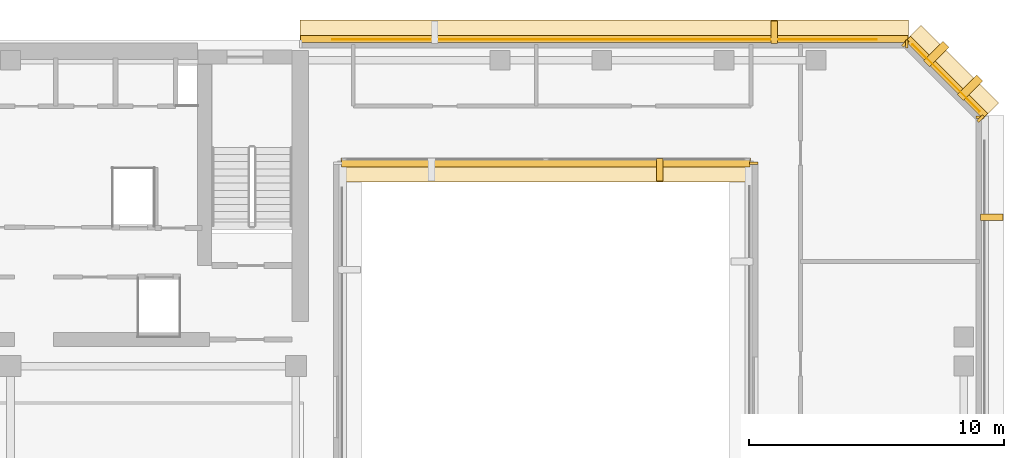
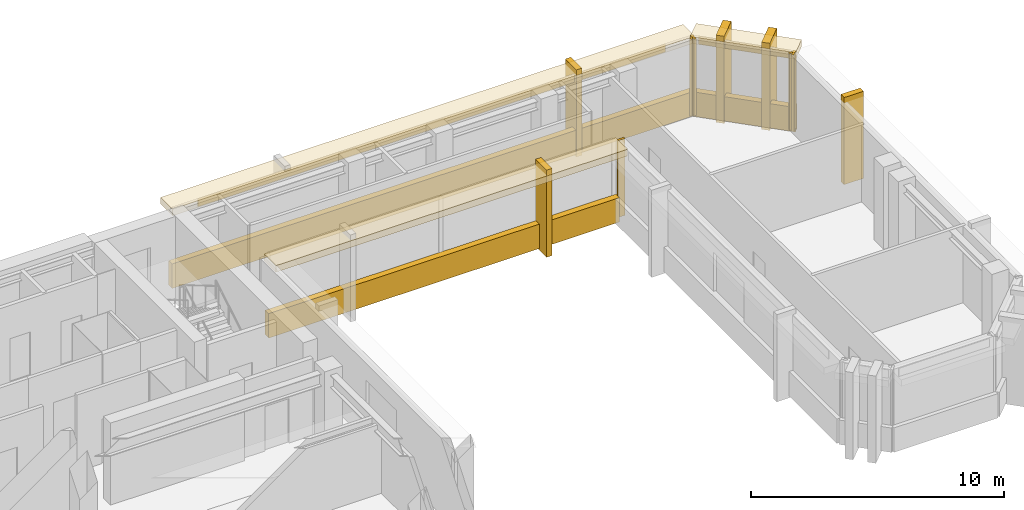
# One storey, part 11 of 11: 18 coverings.
"""IFC4 building model written with IfcOpenShell, lengths in metres."""

from ifc_helpers import new_model, si_unit, direction, frame, origin, origin_2d, place, context, subcontext, project, spatial, rectangle, extrude, material, layer, layer_set, type_object, element, save


model = new_model("IFC4")

# Units and contexts
model_context = context("Model", 3, precision=1e-05, world=origin(), true_north=direction((0.0, 1.0)))
body_context = subcontext(model_context, "Body", "Model", "MODEL_VIEW")
ifc_project = project(units=[si_unit("LENGTHUNIT", "METRE"), si_unit("AREAUNIT", "SQUARE_METRE"), si_unit("VOLUMEUNIT", "CUBIC_METRE"), si_unit("PLANEANGLEUNIT", "RADIAN"), si_unit("MASSUNIT", "GRAM", prefix="KILO")], contexts=[model_context])

# Site, building, storey
site_placement = place(None, origin())
site = spatial("IfcSite", under=ifc_project, at=site_placement, CompositionType="ELEMENT")
building_placement = place(site_placement, origin())
building = spatial("IfcBuilding", under=site, at=building_placement, Name="Kefirva Bronze Tower", CompositionType="ELEMENT")
storey_placement = place(building_placement, frame((0.0, 0.0, 243.5400390625)))
storey = spatial("IfcBuildingStorey", under=building, at=storey_placement, Name="L59", CompositionType="ELEMENT", Elevation=243.5400390625)

# Coverings
ifc_material = material(Name="Bronze anodised aluminium", Category="aluminium")
ifc_layer_1 = layer(ifc_material, 0.02001953125, Name="Bronze anodised aluminium")
ifc_layer_set_1 = layer_set([ifc_layer_1], Name="Bronze anodised aluminium")
covering_type_1 = type_object("IfcCoveringType", Name="Anodised Bronze Spandrel Cladding 20mm", PredefinedType="CLADDING", material=ifc_layer_set_1)
covering_1_placement = place(storey_placement, frame((33.0, 41.159912109375, -0.16015625), z_axis=(0.0, 0.0, 1.0), x_axis=(1.0, 0.0, 0.0)))
element("IfcCovering", 1, at=covering_1_placement, inside=storey, type_object=covering_type_1, Name="L59 Streamline Horizontal Spandrel Band 6", PredefinedType="CLADDING", context=body_context, shape_type="SweptSolid", body=[
    extrude(rectangle(XDim=16.0400390625, YDim=0.280029296875, at=origin_2d()), origin(), (0.0, 0.0, 1.0), 1.179931640625),
])
for number, where, z_axis, x_axis, name in (
    (2, (41.159912109375, 41.1650390625, 0.0), (0.0, 0.0, 1.0), (0.0, -1.0, 0.0), "L59 Facade Joint Closure Panel 5S"),
    (3, (50.0400390625, 42.965087890625, 0.0), (0.0, 0.0, 1.0), (0.0, 1.0, 0.0), "L59 Facade Joint Closure Panel 9E"),
):
    element("IfcCovering", number, at=place(storey_placement, frame(where, z_axis=z_axis, x_axis=x_axis)), inside=storey, type_object=covering_type_1, Name=name, PredefinedType="CLADDING", context=body_context, shape_type="SweptSolid", body=[
        extrude(rectangle(XDim=0.10009765625, YDim=0.320068359375, at=origin_2d()), origin(), (0.0, 0.0, 1.0), 3.7099609375),
    ])
covering_2_placement = place(storey_placement, frame((48.70703125, 44.507080078125, 3.2900390625), z_axis=(0.0, 0.0, 1.0), x_axis=(-0.707106781187, 0.707106781187, 0.0)))
element("IfcCovering", 4, at=covering_2_placement, inside=storey, type_object=covering_type_1, Name="L59 Bronze Spandrel Cladding 10", PredefinedType="CLADDING", context=body_context, shape_type="SweptSolid", body=[
    extrude(rectangle(XDim=3.719482421875, YDim=0.02001953125, at=origin_2d()), origin(), (0.0, 0.0, 1.0), 0.39990234375),
])
for number, where, z_axis, x_axis, name in (
    (5, (50.06201171875, 42.91162109375, 0.0), (0.0, 0.0, 1.0), (-0.707106781187, 0.707106781187, 0.0), "L59 Facade Joint Closure Panel 10S"),
    (6, (47.11181640625, 45.862060546875, 0.0), (0.0, 0.0, 1.0), (-0.707106781187, 0.707106781187, 0.0), "L59 Facade Joint Closure Panel 10E"),
):
    element("IfcCovering", number, at=place(storey_placement, frame(where, z_axis=z_axis, x_axis=x_axis)), inside=storey, type_object=covering_type_1, Name=name, PredefinedType="CLADDING", context=body_context, shape_type="SweptSolid", body=[
        extrude(rectangle(XDim=0.10009765625, YDim=0.320068359375, at=origin_2d()), origin(), (0.0, 0.0, 1.0), 3.7099609375),
    ])
covering_3_placement = place(storey_placement, frame((48.728271484375, 44.5283203125, -0.16015625), z_axis=(0.0, 0.0, 1.0), x_axis=(-0.707106781187, 0.707106781187, 0.0)))
element("IfcCovering", 7, at=covering_3_placement, inside=storey, type_object=covering_type_1, Name="L59 Streamline Horizontal Spandrel Band 12", PredefinedType="CLADDING", context=body_context, shape_type="SweptSolid", body=[
    extrude(rectangle(XDim=4.28271484375, YDim=0.280029296875, at=origin_2d()), origin(), (0.0, 0.0, 1.0), 1.179931640625),
])
covering_4_placement = place(storey_placement, frame((35.302490234375, 46.010009765625, 3.2900390625), z_axis=(0.0, 0.0, 1.0), x_axis=(-1.0, 0.0, 0.0)))
element("IfcCovering", 8, at=covering_4_placement, inside=storey, type_object=covering_type_1, Name="L59 Bronze Spandrel Cladding 11", PredefinedType="CLADDING", context=body_context, shape_type="SweptSolid", body=[
    extrude(rectangle(XDim=21.365966796875, YDim=0.02001953125, at=origin_2d()), origin(), (0.0, 0.0, 1.0), 0.39990234375),
])
covering_5_placement = place(storey_placement, frame((47.1650390625, 45.840087890625, 0.0), z_axis=(0.0, 0.0, 1.0), x_axis=(-1.0, 0.0, 0.0)))
element("IfcCovering", 9, at=covering_5_placement, inside=storey, type_object=covering_type_1, Name="L59 Facade Joint Closure Panel 11S", PredefinedType="CLADDING", context=body_context, shape_type="SweptSolid", body=[
    extrude(rectangle(XDim=0.10009765625, YDim=0.320068359375, at=origin_2d()), origin(), (0.0, 0.0, 1.0), 3.7099609375),
])
covering_6_placement = place(storey_placement, frame((35.302490234375, 46.0400390625, -0.16015625), z_axis=(0.0, 0.0, 1.0), x_axis=(-1.0, 0.0, 0.0)))
element("IfcCovering", 10, at=covering_6_placement, inside=storey, type_object=covering_type_1, Name="L59 Streamline Horizontal Spandrel Band 13", PredefinedType="CLADDING", context=body_context, shape_type="SweptSolid", body=[
    extrude(rectangle(XDim=23.8349609375, YDim=0.280029296875, at=origin_2d()), origin(), (0.0, 0.0, 1.0), 1.179931640625),
])
ifc_layer_2 = layer(ifc_material, 0.179931640625, Name="Bronze anodised aluminium")
ifc_layer_set_2 = layer_set([ifc_layer_2], Name="Bronze anodised aluminium")
covering_type_2 = type_object("IfcCoveringType", Name="Streamline Bronze Sunshade Eyebrow Cladding 180mm", PredefinedType="CLADDING", material=ifc_layer_set_2)
covering_7_placement = place(storey_placement, frame((33.0, 40.889892578125, 3.39013671875), z_axis=(0.0, 0.0, 1.0), x_axis=(1.0, 0.0, 0.0)))
element("IfcCovering", 11, at=covering_7_placement, inside=storey, type_object=covering_type_2, Name="L59 Streamline Bronze Sunshade Eyebrow 6", PredefinedType="CLADDING", context=body_context, shape_type="SweptSolid", body=[
    extrude(rectangle(XDim=16.080078125, YDim=0.93994140625, at=origin_2d()), origin(), (0.0, 0.0, 1.0), 0.320068359375),
])
covering_8_placement = place(storey_placement, frame((48.919189453125, 44.71923828125, 3.39013671875), z_axis=(0.0, 0.0, 1.0), x_axis=(-0.707106781187, 0.707106781187, 0.0)))
element("IfcCovering", 12, at=covering_8_placement, inside=storey, type_object=covering_type_2, Name="L59 Streamline Bronze Sunshade Eyebrow 12", PredefinedType="CLADDING", context=body_context, shape_type="SweptSolid", body=[
    extrude(rectangle(XDim=4.322509765625, YDim=0.93994140625, at=origin_2d()), origin(), (0.0, 0.0, 1.0), 0.320068359375),
])
covering_9_placement = place(storey_placement, frame((35.302490234375, 46.31005859375, 3.39013671875), z_axis=(0.0, 0.0, 1.0), x_axis=(-1.0, 0.0, 0.0)))
element("IfcCovering", 13, at=covering_9_placement, inside=storey, type_object=covering_type_2, Name="L59 Streamline Bronze Sunshade Eyebrow 13", PredefinedType="CLADDING", context=body_context, shape_type="SweptSolid", body=[
    extrude(rectangle(XDim=23.875, YDim=0.93994140625, at=origin_2d()), origin(), (0.0, 0.0, 1.0), 0.320068359375),
])
ifc_layer_3 = layer(ifc_material, 0.260009765625, Name="Bronze anodised aluminium")
ifc_layer_set_3 = layer_set([ifc_layer_3], Name="Bronze anodised aluminium")
covering_type_3 = type_object("IfcCoveringType", Name="Unbroken Bronze Buttress Fin Cladding 260mm", PredefinedType="CLADDING", material=ifc_layer_set_3)
for number, where, z_axis, x_axis, name in (
    (14, (37.47998046875, 40.89990234375, -0.25), (0.0, 0.0, 1.0), (1.0, 0.0, 0.0), "L59 Unbroken Vertical Bronze Rib Fin 12"),
    (15, (50.5, 39.0400390625, -0.25), (0.0, 0.0, 1.0), (0.0, 1.0, 0.0), "L59 Unbroken Vertical Bronze Rib Fin 20"),
):
    element("IfcCovering", number, at=place(storey_placement, frame(where, z_axis=z_axis, x_axis=x_axis)), inside=storey, type_object=covering_type_3, Name=name, PredefinedType="CLADDING", context=body_context, shape_type="SweptSolid", body=[
        extrude(rectangle(XDim=0.260009765625, YDim=0.8798828125, at=origin_2d()), origin(), (0.0, 0.0, 1.0), 4.2099609375),
    ])
for number, where, z_axis, x_axis, name in (
    (16, (49.642822265625, 44.122802734375, -0.25), (0.0, 0.0, 1.0), (-0.707106781187, 0.707106781187, 0.0), "L59 Chamfered Corner Buttress Fin Cladding 21"),
    (17, (48.32275390625, 45.44287109375, -0.25), (0.0, 0.0, 1.0), (-0.707106781187, 0.707106781187, 0.0), "L59 Chamfered Corner Buttress Fin Cladding 22"),
):
    element("IfcCovering", number, at=place(storey_placement, frame(where, z_axis=z_axis, x_axis=x_axis)), inside=storey, type_object=covering_type_3, Name=name, PredefinedType="CLADDING", context=body_context, shape_type="SweptSolid", body=[
        extrude(rectangle(XDim=0.340087890625, YDim=1.080078125, at=origin_2d()), origin(), (0.0, 0.0, 1.0), 4.2099609375),
    ])
covering_10_placement = place(storey_placement, frame((41.965087890625, 46.300048828125, -0.25), z_axis=(0.0, 0.0, 1.0), x_axis=(-1.0, 0.0, 0.0)))
element("IfcCovering", 18, at=covering_10_placement, inside=storey, type_object=covering_type_3, Name="L59 Unbroken Vertical Bronze Rib Fin 23", PredefinedType="CLADDING", context=body_context, shape_type="SweptSolid", body=[
    extrude(rectangle(XDim=0.260009765625, YDim=0.8798828125, at=origin_2d()), origin(), (0.0, 0.0, 1.0), 4.2099609375),
])

save(model, "model.ifc")
